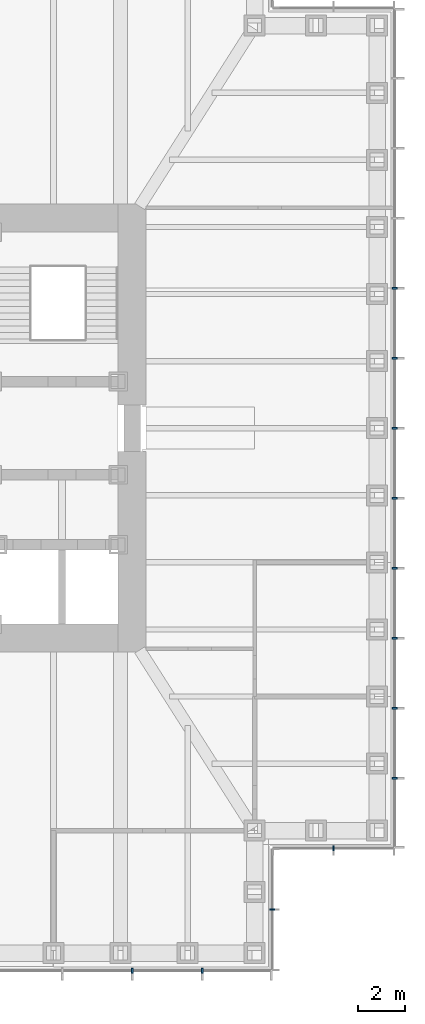
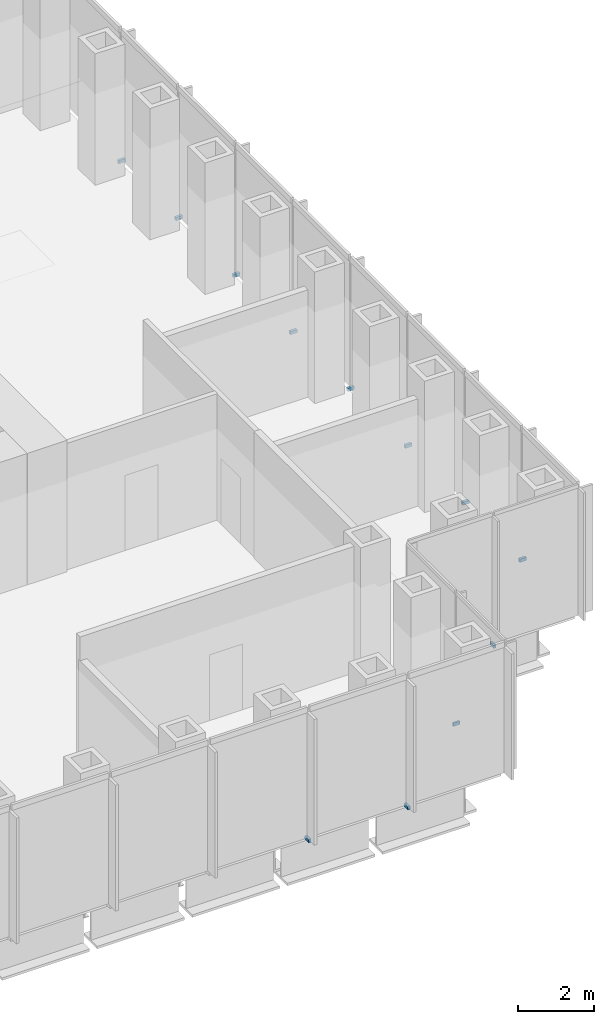
# One storey, part 13 of 16: 12 discrete accessories.
"""IFC4 building model written with IfcOpenShell, lengths in metres."""

from ifc_helpers import new_model, si_unit, direction, frame, origin, origin_2d, place, context, subcontext, project, spatial, rectangle, extrude, element, save


model = new_model("IFC4")

# Units and contexts
model_context = context("Model", 3, precision=1e-05, world=origin(), true_north=direction((0.0, 1.0)))
body_context = subcontext(model_context, "Body", "Model", "MODEL_VIEW")
ifc_project = project(units=[si_unit("LENGTHUNIT", "METRE"), si_unit("AREAUNIT", "SQUARE_METRE"), si_unit("VOLUMEUNIT", "CUBIC_METRE"), si_unit("PLANEANGLEUNIT", "RADIAN"), si_unit("MASSUNIT", "GRAM", prefix="KILO")], contexts=[model_context])

# Site, building, storey
site_placement = place(None, origin())
site = spatial("IfcSite", under=ifc_project, at=site_placement, CompositionType="ELEMENT")
building_placement = place(site_placement, origin())
building = spatial("IfcBuilding", under=site, at=building_placement, Name="Daluyong Arena Tower", CompositionType="ELEMENT")
storey_placement = place(building_placement, frame((0.0, 0.0, 133.300048828125)))
storey = spatial("IfcBuildingStorey", under=building, at=storey_placement, Name="L29", CompositionType="ELEMENT", Elevation=133.300048828125)

# Discrete accessories
for number, where, z_axis, x_axis, name in (
    (1, (68.0, 56.75, -0.10009765625), (0.0, 0.0, 1.0), (1.0, 0.0, 0.0), "curtain wall L29 S anchor bracket 11"),
    (2, (71.0, 56.75, -0.10009765625), (0.0, 0.0, 1.0), (1.0, 0.0, 0.0), "curtain wall L29 S anchor bracket 12"),
):
    element("IfcDiscreteAccessory", number, at=place(storey_placement, frame(where, z_axis=z_axis, x_axis=x_axis)), inside=storey, Name=name, PredefinedType="BRACKET", context=body_context, shape_type="SweptSolid", body=[
        extrude(rectangle(XDim=0.080078125, YDim=0.199951171875, at=origin_2d()), origin(), (0.0, 0.0, 1.0), 0.10009765625),
    ])
for number, where, z_axis, x_axis, name in (
    (3, (74.0, 59.375, -0.10009765625), (0.0, 0.0, 1.0), (0.0, 1.0, 0.0), "curtain wall L29 SE-E anchor bracket 2"),
    (4, (76.625, 62.0, -0.10009765625), (0.0, 0.0, 1.0), (1.0, 0.0, 0.0), "curtain wall L29 SE-S anchor bracket 2"),
):
    element("IfcDiscreteAccessory", number, at=place(storey_placement, frame(where, z_axis=z_axis, x_axis=x_axis)), inside=storey, Name=name, PredefinedType="BRACKET", context=body_context, shape_type="SweptSolid", body=[
        extrude(rectangle(XDim=0.06005859375, YDim=0.199951171875, at=origin_2d()), origin(), (0.0, 0.0, 1.0), 0.10009765625),
    ])
for number, where, z_axis, x_axis, name in (
    (5, (79.25, 65.0, -0.10009765625), (0.0, 0.0, 1.0), (0.0, 1.0, 0.0), "curtain wall L29 E anchor bracket 2"),
    (6, (79.25, 68.0, -0.10009765625), (0.0, 0.0, 1.0), (0.0, 1.0, 0.0), "curtain wall L29 E anchor bracket 3"),
    (7, (79.25, 71.0, -0.10009765625), (0.0, 0.0, 1.0), (0.0, 1.0, 0.0), "curtain wall L29 E anchor bracket 4"),
    (8, (79.25, 74.0, -0.10009765625), (0.0, 0.0, 1.0), (0.0, 1.0, 0.0), "curtain wall L29 E anchor bracket 5"),
    (9, (79.25, 77.0, -0.10009765625), (0.0, 0.0, 1.0), (0.0, 1.0, 0.0), "curtain wall L29 E anchor bracket 6"),
    (10, (79.25, 80.0, -0.10009765625), (0.0, 0.0, 1.0), (0.0, 1.0, 0.0), "curtain wall L29 E anchor bracket 7"),
    (11, (79.25, 83.0, -0.10009765625), (0.0, 0.0, 1.0), (0.0, 1.0, 0.0), "curtain wall L29 E anchor bracket 8"),
    (12, (79.25, 86.0, -0.10009765625), (0.0, 0.0, 1.0), (0.0, 1.0, 0.0), "curtain wall L29 E anchor bracket 9"),
):
    element("IfcDiscreteAccessory", number, at=place(storey_placement, frame(where, z_axis=z_axis, x_axis=x_axis)), inside=storey, Name=name, PredefinedType="BRACKET", context=body_context, shape_type="SweptSolid", body=[
        extrude(rectangle(XDim=0.080078125, YDim=0.199951171875, at=origin_2d()), origin(), (0.0, 0.0, 1.0), 0.10009765625),
    ])

save(model, "model.ifc")
